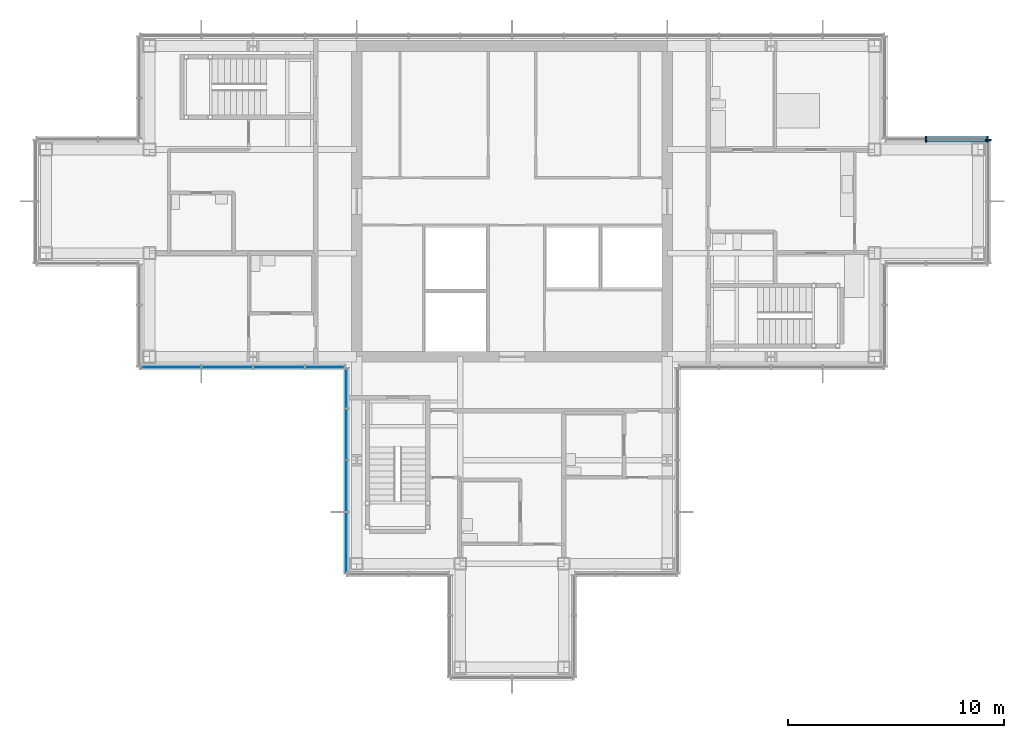
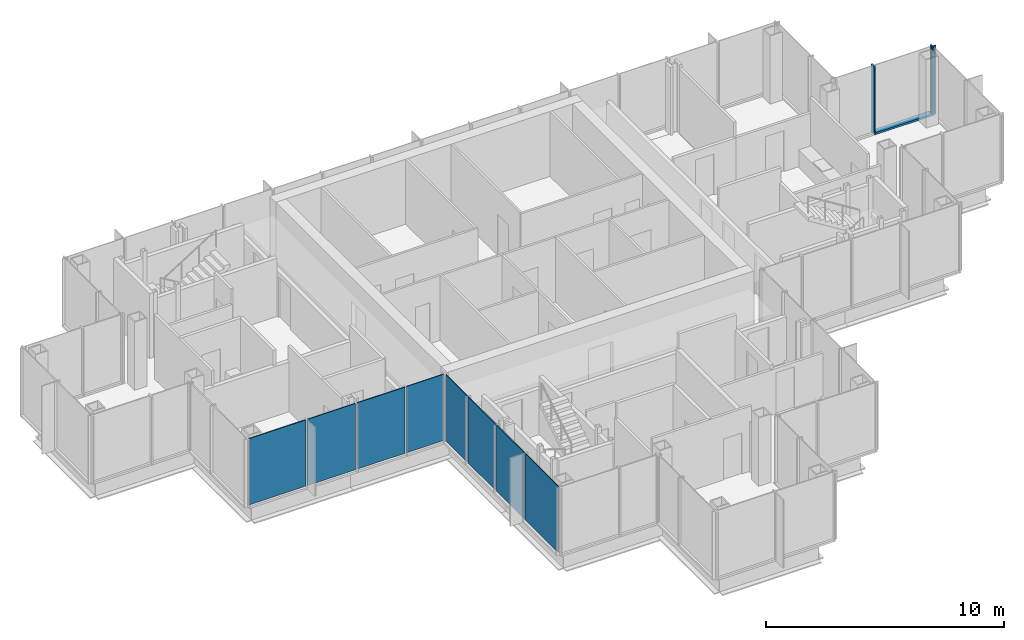
# One storey, part 8 of 15: 8 plates, 4 members, 4 elements without a shape of their own.
"""IFC4 building model written with IfcOpenShell, lengths in metres."""

from ifc_helpers import new_model, si_unit, direction, frame, origin, origin_2d, place, context, subcontext, project, spatial, rectangle, extrude, material, layer, layer_set, material_profile, profile_set, type_object, element, aggregate, save


model = new_model("IFC4")

# Units and contexts
model_context = context("Model", 3, precision=1e-05, world=origin(), true_north=direction((0.0, 1.0)))
body_context = subcontext(model_context, "Body", "Model", "MODEL_VIEW")
ifc_project = project(units=[si_unit("LENGTHUNIT", "METRE"), si_unit("AREAUNIT", "SQUARE_METRE"), si_unit("VOLUMEUNIT", "CUBIC_METRE"), si_unit("PLANEANGLEUNIT", "RADIAN"), si_unit("MASSUNIT", "GRAM", prefix="KILO")], contexts=[model_context])

# Site, building, storey
site_placement = place(None, origin())
site = spatial("IfcSite", under=ifc_project, at=site_placement, CompositionType="ELEMENT")
building_placement = place(site_placement, origin())
building = spatial("IfcBuilding", under=site, at=building_placement, Name="Kvirike Care Tower", CompositionType="ELEMENT")
storey_placement = place(building_placement, frame((0.0, 0.0, 229.5)))
storey = spatial("IfcBuildingStorey", under=building, at=storey_placement, Name="L63", CompositionType="ELEMENT", Elevation=229.5)

# Curtain wall, member
ifc_material_1 = material(Name="Anodised aluminium stick system", Category="aluminium")
curtain_wall_type = type_object("IfcCurtainWallType", Name="CW-D STICK CURTAIN WALL", PredefinedType="NOTDEFINED", material=ifc_material_1)
curtain_wall_1_placement = place(storey_placement, origin())
curtain_wall_1 = element("IfcCurtainWall", 1, at=curtain_wall_1_placement, inside=storey, type_object=curtain_wall_type, Name="Curtain wall L63 face 4", PredefinedType="NOTDEFINED")
ifc_material_2 = material(Name="Bronze anodised aluminium mullion", Category="aluminium")
ifc_material_profile_1 = material_profile(ifc_material_2, rectangle(XDim=0.06494140625, YDim=0.260009765625, at=origin_2d()), Name="CW-D MULLION 65x260")
ifc_profile_set_1 = profile_set([ifc_material_profile_1], Name="Bronze anodised aluminium mullion")
member_type_1 = type_object("IfcMemberType", Name="CW-D MULLION 65x260", PredefinedType="MULLION", material=ifc_profile_set_1)
member_1_placement = place(storey_placement, frame((43.679931640625, 38.847412109375, 0.0), z_axis=(0.0, 0.0, 1.0), x_axis=(0.0, 1.0, 0.0)))
member_1 = element("IfcMember", 2, at=member_1_placement, type_object=member_type_1, Name="CW-D mullion L63 face 4.3", PredefinedType="MULLION", context=body_context, shape_type="SweptSolid", body=[
    extrude(rectangle(XDim=0.06494140625, YDim=0.260009765625, at=origin_2d()), origin(), (0.0, 0.0, 1.0), 3.5),
])
aggregate(curtain_wall_1, [member_1])

# Curtain wall, members
curtain_wall_2_placement = place(storey_placement, origin())
curtain_wall_2 = element("IfcCurtainWall", 3, at=curtain_wall_2_placement, inside=storey, type_object=curtain_wall_type, Name="Curtain wall L63 face 5", PredefinedType="NOTDEFINED")
member_2_placement = place(storey_placement, frame((43.6474609375, 38.8798828125, 0.0), z_axis=(0.0, 0.0, 1.0), x_axis=(-1.0, 0.0, 0.0)))
member_2 = element("IfcMember", 4, at=member_2_placement, type_object=member_type_1, Name="CW-D mullion L63 face 5.1", PredefinedType="MULLION", context=body_context, shape_type="SweptSolid", body=[
    extrude(rectangle(XDim=0.06494140625, YDim=0.260009765625, at=origin_2d()), origin(), (0.0, 0.0, 1.0), 3.5),
])
member_3_placement = place(storey_placement, frame((40.800048828125, 38.8798828125, 0.0), z_axis=(0.0, 0.0, 1.0), x_axis=(-1.0, 0.0, 0.0)))
member_3 = element("IfcMember", 5, at=member_3_placement, type_object=member_type_1, Name="CW-D mullion L63 face 5.2", PredefinedType="MULLION", context=body_context, shape_type="SweptSolid", body=[
    extrude(rectangle(XDim=0.06494140625, YDim=0.260009765625, at=origin_2d()), origin(), (0.0, 0.0, 1.0), 3.5),
])
ifc_material_3 = material(Name="Bronze anodised aluminium transom", Category="aluminium")
ifc_material_profile_2 = material_profile(ifc_material_3, rectangle(XDim=0.260009765625, YDim=0.10009765625, at=origin_2d()), Name="CW-D TRANSOM 260x100")
ifc_profile_set_2 = profile_set([ifc_material_profile_2], Name="Bronze anodised aluminium transom")
member_type_2 = type_object("IfcMemberType", Name="CW-D TRANSOM 260x100", PredefinedType="USERDEFINED", material=ifc_profile_set_2)
member_4_placement = place(storey_placement, frame((43.614990234375, 38.8798828125, 0.050048828125), z_axis=(-1.0, 0.0, 0.0), x_axis=(0.0, -1.0, 0.0)))
member_4 = element("IfcMember", 6, at=member_4_placement, type_object=member_type_2, Name="CW-D sill transom L63 face 5.1", ObjectType="TRANSOM", PredefinedType="USERDEFINED", context=body_context, shape_type="SweptSolid", body=[
    extrude(rectangle(XDim=0.260009765625, YDim=0.10009765625, at=origin_2d()), origin(), (0.0, 0.0, 1.0), 2.782470703125),
])
aggregate(curtain_wall_2, [member_2, member_3, member_4])

# Curtain wall, plates
curtain_wall_3_placement = place(storey_placement, origin())
curtain_wall_3 = element("IfcCurtainWall", 7, at=curtain_wall_3_placement, inside=storey, type_object=curtain_wall_type, Name="Curtain wall L63 face 13", PredefinedType="NOTDEFINED")
ifc_material_4 = material(Name="Tinted double glazed unit", Category="glass")
ifc_layer = layer(ifc_material_4, 0.0439453125)
ifc_layer_set = layer_set([ifc_layer], Name="TINTED VISION PANEL 44")
plate_type = type_object("IfcPlateType", Name="TINTED VISION PANEL 44", PredefinedType="CURTAIN_PANEL", material=ifc_layer_set)
plate_1_placement = place(storey_placement, frame((5.7763671875, 28.320068359375, 0.10009765625), z_axis=(0.0, 0.0, 1.0), x_axis=(1.0, 0.0, 0.0)))
plate_1 = element("IfcPlate", 8, at=plate_1_placement, type_object=plate_type, Name="CW-D panel L63 face 13.1", PredefinedType="CURTAIN_PANEL", context=body_context, shape_type="SweptSolid", body=[
    extrude(rectangle(XDim=2.782470703125, YDim=0.0439453125, at=origin_2d()), origin(), (0.0, 0.0, 1.0), 3.39990234375),
])
plate_2_placement = place(storey_placement, frame((8.39990234375, 28.320068359375, 0.10009765625), z_axis=(0.0, 0.0, 1.0), x_axis=(1.0, 0.0, 0.0)))
plate_2 = element("IfcPlate", 9, at=plate_2_placement, type_object=plate_type, Name="CW-D panel L63 face 13.2", PredefinedType="CURTAIN_PANEL", context=body_context, shape_type="SweptSolid", body=[
    extrude(rectangle(XDim=2.3349609375, YDim=0.0439453125, at=origin_2d()), origin(), (0.0, 0.0, 1.0), 3.39990234375),
])
plate_3_placement = place(storey_placement, frame((10.800048828125, 28.320068359375, 0.10009765625), z_axis=(0.0, 0.0, 1.0), x_axis=(1.0, 0.0, 0.0)))
plate_3 = element("IfcPlate", 10, at=plate_3_placement, type_object=plate_type, Name="CW-D panel L63 face 13.3", PredefinedType="CURTAIN_PANEL", context=body_context, shape_type="SweptSolid", body=[
    extrude(rectangle(XDim=2.3349609375, YDim=0.0439453125, at=origin_2d()), origin(), (0.0, 0.0, 1.0), 3.39990234375),
])
plate_4_placement = place(storey_placement, frame((12.94384765625, 28.320068359375, 0.10009765625), z_axis=(0.0, 0.0, 1.0), x_axis=(1.0, 0.0, 0.0)))
plate_4 = element("IfcPlate", 11, at=plate_4_placement, type_object=plate_type, Name="CW-D panel L63 face 13.4", PredefinedType="CURTAIN_PANEL", context=body_context, shape_type="SweptSolid", body=[
    extrude(rectangle(XDim=1.822509765625, YDim=0.0439453125, at=origin_2d()), origin(), (0.0, 0.0, 1.0), 3.39990234375),
])
aggregate(curtain_wall_3, [plate_1, plate_2, plate_3, plate_4])

curtain_wall_4_placement = place(storey_placement, origin())
curtain_wall_4 = element("IfcCurtainWall", 12, at=curtain_wall_4_placement, inside=storey, type_object=curtain_wall_type, Name="Curtain wall L63 face 14", PredefinedType="NOTDEFINED")
plate_5_placement = place(storey_placement, frame((13.919921875, 27.34375, 0.10009765625), z_axis=(0.0, 0.0, 1.0), x_axis=(0.0, -1.0, 0.0)))
plate_5 = element("IfcPlate", 13, at=plate_5_placement, type_object=plate_type, Name="CW-D panel L63 face 14.1", PredefinedType="CURTAIN_PANEL", context=body_context, shape_type="SweptSolid", body=[
    extrude(rectangle(XDim=1.822509765625, YDim=0.0439453125, at=origin_2d()), origin(), (0.0, 0.0, 1.0), 3.39990234375),
])
plate_6_placement = place(storey_placement, frame((13.919921875, 25.199951171875, 0.10009765625), z_axis=(0.0, 0.0, 1.0), x_axis=(0.0, -1.0, 0.0)))
plate_6 = element("IfcPlate", 14, at=plate_6_placement, type_object=plate_type, Name="CW-D panel L63 face 14.2", PredefinedType="CURTAIN_PANEL", context=body_context, shape_type="SweptSolid", body=[
    extrude(rectangle(XDim=2.3349609375, YDim=0.0439453125, at=origin_2d()), origin(), (0.0, 0.0, 1.0), 3.39990234375),
])
plate_7_placement = place(storey_placement, frame((13.919921875, 22.800048828125, 0.10009765625), z_axis=(0.0, 0.0, 1.0), x_axis=(0.0, -1.0, 0.0)))
plate_7 = element("IfcPlate", 15, at=plate_7_placement, type_object=plate_type, Name="CW-D panel L63 face 14.3", PredefinedType="CURTAIN_PANEL", context=body_context, shape_type="SweptSolid", body=[
    extrude(rectangle(XDim=2.3349609375, YDim=0.0439453125, at=origin_2d()), origin(), (0.0, 0.0, 1.0), 3.39990234375),
])
plate_8_placement = place(storey_placement, frame((13.919921875, 20.17626953125, 0.10009765625), z_axis=(0.0, 0.0, 1.0), x_axis=(0.0, -1.0, 0.0)))
plate_8 = element("IfcPlate", 16, at=plate_8_placement, type_object=plate_type, Name="CW-D panel L63 face 14.4", PredefinedType="CURTAIN_PANEL", context=body_context, shape_type="SweptSolid", body=[
    extrude(rectangle(XDim=2.782470703125, YDim=0.0439453125, at=origin_2d()), origin(), (0.0, 0.0, 1.0), 3.39990234375),
])
aggregate(curtain_wall_4, [plate_5, plate_6, plate_7, plate_8])

save(model, "model.ifc")
